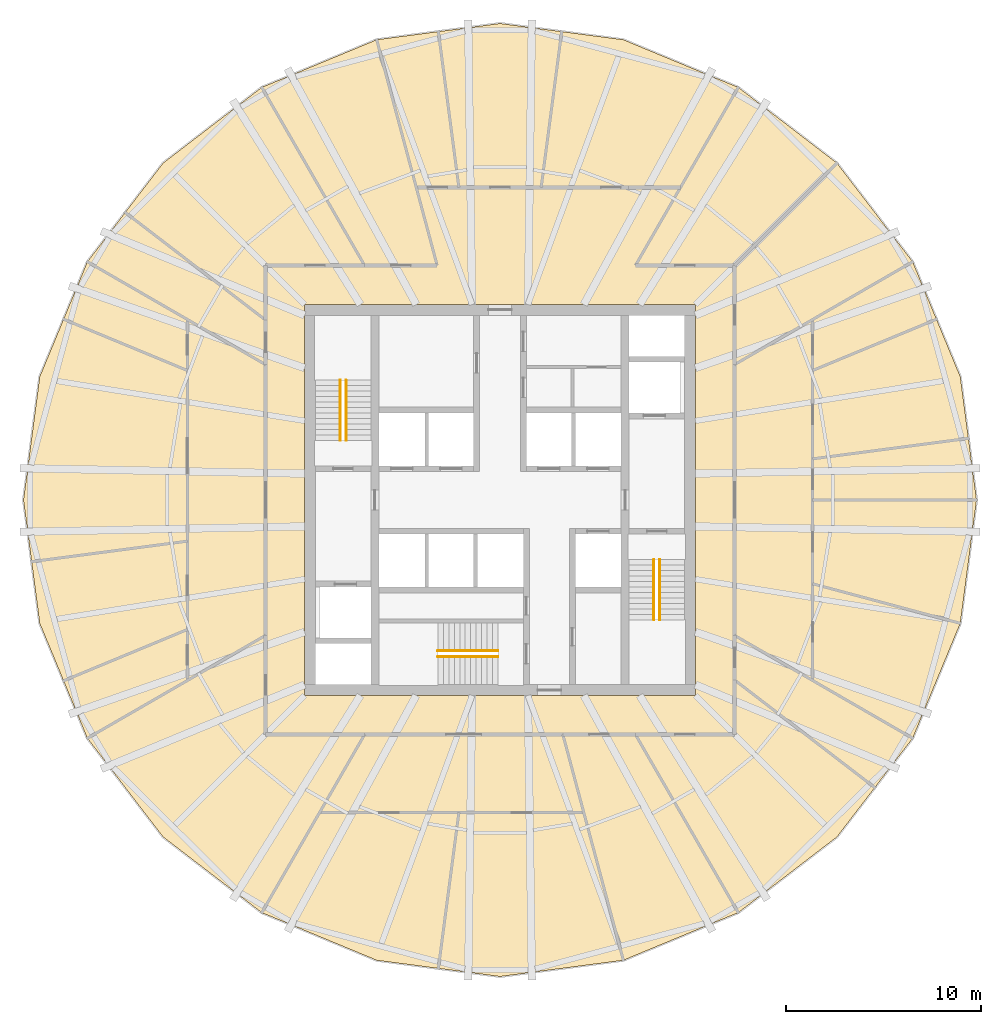
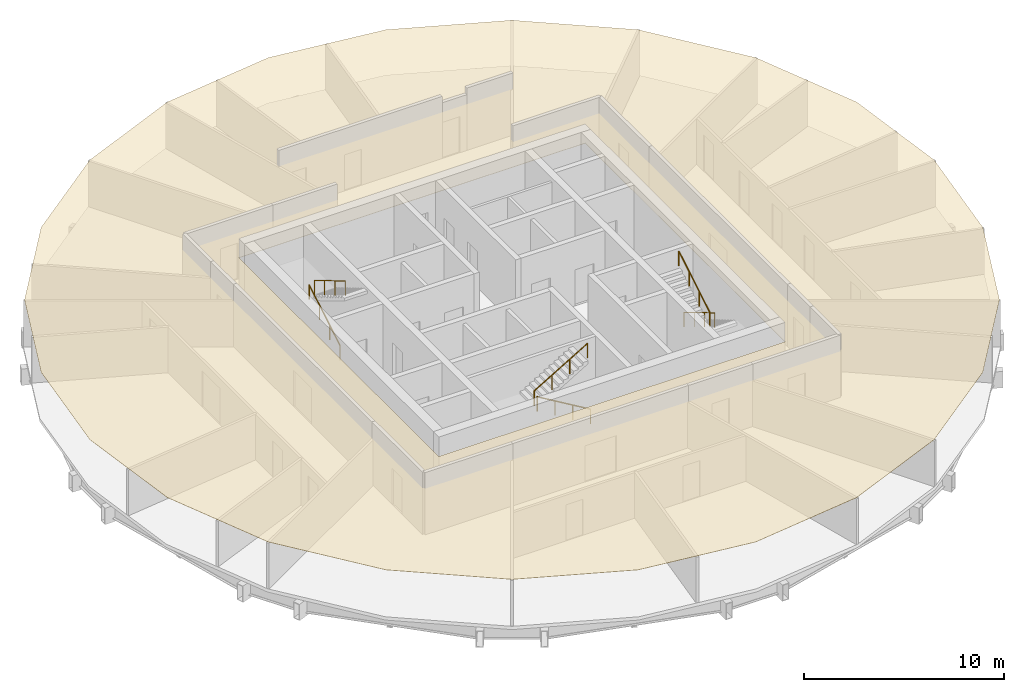
# One storey, part 6 of 6: 6 railings, 1 covering.
"""IFC4 building model written with IfcOpenShell, lengths in metres."""

import ifcopenshell
import ifcopenshell.guid

model = None  # the IFC model being written
_history = None  # IfcOwnerHistory: only IFC2X3 demands one
_inside = {}  # id of a spatial element -> (the spatial element, [elements in it])
_under = {}  # id of a project, library or spatial element -> (it, [spatial elements below it])
_declared = {}  # id of a project -> (the project, [libraries it declares])
_typed = {}  # id of a type object -> (the type object, [elements of that type])
_made_of = {}  # id of a material, layer set ... -> (it, [elements and type objects made of it])


def new_model(schema):
    """Start an empty IFC model of exactly this schema.

    Asked for "IFC4X3", IfcOpenShell would pick the latest addendum, in which some entities
    have other attributes; the version numbers below select the first issue.
    IFC2X3 requires an IfcOwnerHistory on every rooted entity: one is made here for all.
    """
    global model, _history
    if schema == "IFC4X3":
        model = ifcopenshell.file(schema_version=(4, 3, 0, 0))
    else:
        model = ifcopenshell.file(schema=schema)
    _inside.clear()
    _under.clear()
    _declared.clear()
    _typed.clear()
    _made_of.clear()
    _history = None
    if model.schema == "IFC2X3":
        org = make("IfcOrganization", Name="unknown")
        user = make(
            "IfcPersonAndOrganization",
            ThePerson=make("IfcPerson", FamilyName="unknown"),
            TheOrganization=org,
        )
        app = make(
            "IfcApplication",
            ApplicationDeveloper=org,
            Version="unknown",
            ApplicationFullName="unknown",
            ApplicationIdentifier="unknown",
        )
        _history = make(
            "IfcOwnerHistory",
            OwningUser=user,
            OwningApplication=app,
            ChangeAction="ADDED",
            CreationDate=0,
        )
    return model


def make(cls, **values):
    """One entity of the class cls with the attributes given. An attribute that is None is left unset."""
    return model.create_entity(
        cls, **{name: value for name, value in values.items() if value is not None}
    )


def rooted(cls, **values):
    """An entity with a GlobalId (a new one), such as an element, a storey or a relation."""
    return make(cls, GlobalId=ifcopenshell.guid.new(), OwnerHistory=_history, **values)


def si_unit(unit_type, name, prefix=None):
    """IfcSIUnit, for example si_unit("LENGTHUNIT", "METRE", prefix="MILLI")."""
    return make("IfcSIUnit", UnitType=unit_type, Prefix=prefix, Name=name)


def assignment(units):
    """IfcUnitAssignment: the units of a project."""
    return None if units is None else make("IfcUnitAssignment", Units=units)


def point(xyz):
    """IfcCartesianPoint."""
    return None if xyz is None else make("IfcCartesianPoint", Coordinates=xyz)


def direction(xyz):
    """IfcDirection."""
    return None if xyz is None else make("IfcDirection", DirectionRatios=xyz)


def frame(location, z_axis=None, x_axis=None):
    """IfcAxis2Placement3D, a coordinate frame: its origin and axes. An axis left out is left unset."""
    return make(
        "IfcAxis2Placement3D",
        Location=point(location),
        Axis=direction(z_axis),
        RefDirection=direction(x_axis),
    )


def frame_2d(location, x_axis=None):
    """IfcAxis2Placement2D, a coordinate frame in the plane: its origin and x axis."""
    return make(
        "IfcAxis2Placement2D", Location=point(location), RefDirection=direction(x_axis)
    )


def origin():
    """The frame at (0, 0, 0) with its axes left unset."""
    return frame((0.0, 0.0, 0.0))


def origin_2d():
    """The frame at (0, 0) in the plane with its x axis left unset."""
    return frame_2d((0.0, 0.0))


def place(relative_to, where):
    """IfcLocalPlacement: puts the frame where relative to a parent placement (None: the world)."""
    return make(
        "IfcLocalPlacement", PlacementRelTo=relative_to, RelativePlacement=where
    )


def context(
    kind, dimensions, precision=None, world=None, true_north=None, identifier=None
):
    """IfcGeometricRepresentationContext, for example the 3D "Model" context."""
    return make(
        "IfcGeometricRepresentationContext",
        ContextIdentifier=identifier,
        ContextType=kind,
        CoordinateSpaceDimension=dimensions,
        Precision=precision,
        WorldCoordinateSystem=world,
        TrueNorth=true_north,
    )


def subcontext(parent, identifier, kind, view, scale=None):
    """IfcGeometricRepresentationSubContext, for example "Body" below "Model"."""
    return make(
        "IfcGeometricRepresentationSubContext",
        ContextIdentifier=identifier,
        ContextType=kind,
        ParentContext=parent,
        TargetScale=scale,
        TargetView=view,
    )


def project(units=None, contexts=None):
    """IfcProject with its units and contexts."""
    return rooted(
        "IfcProject",
        Name="project",
        RepresentationContexts=contexts,
        UnitsInContext=assignment(units),
    )


def spatial(cls, under=None, at=None, **own):
    """A site, building, storey or space (cls), placed at a placement, below another one or the project."""
    s = rooted(cls, ObjectPlacement=at, **own)
    if under is not None:
        _under.setdefault(under.id(), (under, []))[1].append(s)
    return s


def polyline(points):
    """IfcPolyline through the points."""
    return make("IfcPolyline", Points=[point(p) for p in points])


def profile(cls, at=None, kind="AREA", **sizes):
    """A parametric profile (cls). Its sizes go by their IFC names, for example OverallWidth=200.0."""
    return make(cls, ProfileType=kind, Position=at, **sizes)


def circle(**sizes):
    """IfcCircleProfileDef."""
    return profile("IfcCircleProfileDef", **sizes)


def outline(outer, holes=None, kind="AREA"):
    """IfcArbitraryClosedProfileDef: a profile drawn as a closed curve; with holes, ...WithVoids."""
    if holes is None:
        return make("IfcArbitraryClosedProfileDef", ProfileType=kind, OuterCurve=outer)
    return make(
        "IfcArbitraryProfileDefWithVoids",
        ProfileType=kind,
        OuterCurve=outer,
        InnerCurves=holes,
    )


def extrude(swept, where, along, depth):
    """IfcExtrudedAreaSolid: the profile swept, set in the frame where, extruded along a direction by depth."""
    return make(
        "IfcExtrudedAreaSolid",
        SweptArea=swept,
        Position=where,
        ExtrudedDirection=direction(along),
        Depth=depth,
    )


def shape(context_of_items, identifier, shape_type, items):
    """IfcShapeRepresentation: the items that make up one representation, for example the "Body"."""
    return make(
        "IfcShapeRepresentation",
        ContextOfItems=context_of_items,
        RepresentationIdentifier=identifier,
        RepresentationType=shape_type,
        Items=items,
    )


def material(Name=None, Category=None):
    """IfcMaterial."""
    return make("IfcMaterial", Name=Name, Category=Category)


def layer(
    of_material, thickness, ventilated=None, Name=None, Category=None, Priority=None
):
    """IfcMaterialLayer: one layer of a wall or slab, of a material (None: an air gap)."""
    return make(
        "IfcMaterialLayer",
        Material=of_material,
        LayerThickness=thickness,
        IsVentilated=ventilated,
        Name=Name,
        Category=Category,
        Priority=Priority,
    )


def layer_set(layers, Name=None):
    """IfcMaterialLayerSet."""
    return make("IfcMaterialLayerSet", MaterialLayers=layers, LayerSetName=Name)


def made_of(thing, what):
    """Note that an element or type object is made of a material, layer set ...; save() writes the relation."""
    if what is not None:
        _made_of.setdefault(what.id(), (what, []))[1].append(thing)
    return thing


def type_object(cls, material=None, **own):
    """A type object (cls), such as IfcWallType, which elements share."""
    return made_of(rooted(cls, **own), material)


def element(
    cls,
    number,
    at=None,
    inside=None,
    cuts=None,
    type_object=None,
    material=None,
    context=None,
    identifier="Body",
    shape_type=None,
    held_by="IfcProductDefinitionShape",
    body=None,
    shapes=None,
    **own,
):
    """One element of the class cls, such as IfcWall. Its Tag is "e" and its number.

    at: its placement. inside: the storey or other place that contains it. cuts: it is an
    opening in that element (IfcRelVoidsElement). A single representation is given by context,
    identifier, shape_type and body (its items); several are given by shapes. held_by: the class
    of the entity that holds the representations. save() writes the other relations.
    """
    e = rooted(cls, Tag="e%d" % number, ObjectPlacement=at, **own)
    if body is not None:
        shapes = [shape(context, identifier, shape_type, body)]
    if shapes is not None:
        e.Representation = make(held_by, Representations=shapes)
    if inside is not None:
        _inside.setdefault(inside.id(), (inside, []))[1].append(e)
    if cuts is not None:
        rooted(
            "IfcRelVoidsElement", RelatingBuildingElement=cuts, RelatedOpeningElement=e
        )
    if type_object is not None:
        _typed.setdefault(type_object.id(), (type_object, []))[1].append(e)
    return made_of(e, material)


def aggregate(whole, parts):
    """IfcRelAggregates: a whole, such as a stair, and the parts it consists of."""
    return rooted("IfcRelAggregates", RelatingObject=whole, RelatedObjects=parts)


def save(model, path):
    """Write the relations noted so far, then the file.

    IfcRelAggregates (storeys below a building ...), IfcRelContainedInSpatialStructure (elements
    in a storey), IfcRelDefinesByType, IfcRelAssociatesMaterial and IfcRelDeclares: one each for
    every whole, place, type object, material and project.
    """
    for whole, parts in _under.values():
        aggregate(whole, parts)
    for where, things in _inside.values():
        rooted(
            "IfcRelContainedInSpatialStructure",
            RelatedElements=things,
            RelatingStructure=where,
        )
    for kind, things in _typed.values():
        rooted("IfcRelDefinesByType", RelatedObjects=things, RelatingType=kind)
    for what, things in _made_of.values():
        rooted("IfcRelAssociatesMaterial", RelatedObjects=things, RelatingMaterial=what)
    for by, libraries in _declared.values():
        rooted("IfcRelDeclares", RelatingContext=by, RelatedDefinitions=libraries)
    model.write(path)


model = new_model("IFC4")

# Units and contexts
model_context = context("Model", 3, precision=1e-05, world=origin(), true_north=direction((0.0, 1.0)))
body_context = subcontext(model_context, "Body", "Model", "MODEL_VIEW")
ifc_project = project(units=[si_unit("LENGTHUNIT", "METRE"), si_unit("AREAUNIT", "SQUARE_METRE"), si_unit("VOLUMEUNIT", "CUBIC_METRE"), si_unit("PLANEANGLEUNIT", "RADIAN"), si_unit("MASSUNIT", "GRAM", prefix="KILO")], contexts=[model_context])

# Site, building, storey
site_placement = place(None, origin())
site = spatial("IfcSite", under=ifc_project, at=site_placement, CompositionType="ELEMENT")
building_placement = place(site_placement, origin())
building = spatial("IfcBuilding", under=site, at=building_placement, Name="Golbaran Civic Tower", CompositionType="ELEMENT")
storey_placement = place(building_placement, frame((0.0, 0.0, 122.0)))
storey = spatial("IfcBuildingStorey", under=building, at=storey_placement, Name="L29", CompositionType="ELEMENT", Elevation=122.0)

# Railings
ifc_material_1 = material(Name="Stainless steel", Category="steel")
railing_type = type_object("IfcRailingType", Name="STAIR HANDRAIL 900", PredefinedType="HANDRAIL", material=ifc_material_1)
railing_1_placement = place(storey_placement, frame((-8.175048828125, 3.050048828125, 0.166748046875)))
element("IfcRailing", 1, at=railing_1_placement, inside=storey, type_object=railing_type, Name="Stair S1 handrail flight 1 L29", PredefinedType="HANDRAIL", context=body_context, shape_type="SweptSolid", body=[
    extrude(circle(Radius=0.02392578125, at=origin_2d()), frame((0.0, 0.0, 0.8759765625), z_axis=(0.0, 0.859290745958, 0.51148745235), x_axis=(-1.0, 0.0, 0.0)), (0.0, 0.0, 1.0), 3.584228515625),
    extrude(circle(Radius=0.02099609375, at=origin_2d()), origin(), (0.0, 0.0, 1.0), 0.851806640625),
    extrude(circle(Radius=0.02099609375, at=origin_2d()), frame((0.0, 1.026611328125, 0.611083984375)), (0.0, 0.0, 1.0), 0.851806640625),
    extrude(circle(Radius=0.02099609375, at=origin_2d()), frame((0.0, 2.05322265625, 1.22216796875)), (0.0, 0.0, 1.0), 0.851806640625),
    extrude(circle(Radius=0.02099609375, at=origin_2d()), frame((0.0, 3.079833984375, 1.833251953125)), (0.0, 0.0, 1.0), 0.851806640625),
])
for number, where, name in (
    (2, (-7.875, 6.1298828125, 2.166748046875), "Stair S1 handrail flight 2 L29"),
    (3, (8.175048828125, -3.050048828125, 0.166748046875), "Stair S2 handrail flight 1 L29"),
):
    element("IfcRailing", number, at=place(storey_placement, frame(where)), inside=storey, type_object=railing_type, Name=name, PredefinedType="HANDRAIL", context=body_context, shape_type="SweptSolid", body=[
        extrude(circle(Radius=0.02392578125, at=origin_2d()), frame((0.0, 0.0, 0.8759765625), z_axis=(0.0, -0.859290745958, 0.51148745235), x_axis=(1.0, 0.0, 0.0)), (0.0, 0.0, 1.0), 3.584228515625),
        extrude(circle(Radius=0.02099609375, at=origin_2d()), origin(), (0.0, 0.0, 1.0), 0.851806640625),
        extrude(circle(Radius=0.02099609375, at=origin_2d()), frame((0.0, -1.026611328125, 0.611083984375)), (0.0, 0.0, 1.0), 0.851806640625),
        extrude(circle(Radius=0.02099609375, at=origin_2d()), frame((0.0, -2.05322265625, 1.22216796875)), (0.0, 0.0, 1.0), 0.851806640625),
        extrude(circle(Radius=0.02099609375, at=origin_2d()), frame((0.0, -3.079833984375, 1.833251953125)), (0.0, 0.0, 1.0), 0.851806640625),
    ])
railing_2_placement = place(storey_placement, frame((7.875, -6.1298828125, 2.166748046875)))
element("IfcRailing", 4, at=railing_2_placement, inside=storey, type_object=railing_type, Name="Stair S2 handrail flight 2 L29", PredefinedType="HANDRAIL", context=body_context, shape_type="SweptSolid", body=[
    extrude(circle(Radius=0.02392578125, at=origin_2d()), frame((0.0, 0.0, 0.8759765625), z_axis=(0.0, 0.859290745958, 0.51148745235), x_axis=(-1.0, 0.0, 0.0)), (0.0, 0.0, 1.0), 3.584228515625),
    extrude(circle(Radius=0.02099609375, at=origin_2d()), origin(), (0.0, 0.0, 1.0), 0.851806640625),
    extrude(circle(Radius=0.02099609375, at=origin_2d()), frame((0.0, 1.026611328125, 0.611083984375)), (0.0, 0.0, 1.0), 0.851806640625),
    extrude(circle(Radius=0.02099609375, at=origin_2d()), frame((0.0, 2.05322265625, 1.22216796875)), (0.0, 0.0, 1.0), 0.851806640625),
    extrude(circle(Radius=0.02099609375, at=origin_2d()), frame((0.0, 3.079833984375, 1.833251953125)), (0.0, 0.0, 1.0), 0.851806640625),
])
railing_3_placement = place(storey_placement, frame((-0.10009765625, -8.02490234375, 0.166748046875)))
element("IfcRailing", 5, at=railing_3_placement, inside=storey, type_object=railing_type, Name="Stair S3 handrail flight 1 L29", PredefinedType="HANDRAIL", context=body_context, shape_type="SweptSolid", body=[
    extrude(circle(Radius=0.02392578125, at=origin_2d()), frame((0.0, 0.0, 0.8759765625), z_axis=(-0.859290745958, 0.0, 0.51148745235), x_axis=(0.0, -1.0, 0.0)), (0.0, 0.0, 1.0), 3.584228515625),
    extrude(circle(Radius=0.02099609375, at=origin_2d()), origin(), (0.0, 0.0, 1.0), 0.851806640625),
    extrude(circle(Radius=0.02099609375, at=origin_2d()), frame((-1.026611328125, 0.0, 0.611083984375)), (0.0, 0.0, 1.0), 0.851806640625),
    extrude(circle(Radius=0.02099609375, at=origin_2d()), frame((-2.05322265625, 0.0, 1.22216796875)), (0.0, 0.0, 1.0), 0.851806640625),
    extrude(circle(Radius=0.02099609375, at=origin_2d()), frame((-3.079833984375, 0.0, 1.833251953125)), (0.0, 0.0, 1.0), 0.851806640625),
])
railing_4_placement = place(storey_placement, frame((-3.179931640625, -7.72509765625, 2.166748046875)))
element("IfcRailing", 6, at=railing_4_placement, inside=storey, type_object=railing_type, Name="Stair S3 handrail flight 2 L29", PredefinedType="HANDRAIL", context=body_context, shape_type="SweptSolid", body=[
    extrude(circle(Radius=0.02392578125, at=origin_2d()), frame((0.0, 0.0, 0.8759765625), z_axis=(0.859290745958, 0.0, 0.51148745235), x_axis=(0.0, 1.0, 0.0)), (0.0, 0.0, 1.0), 3.584228515625),
    extrude(circle(Radius=0.02099609375, at=origin_2d()), origin(), (0.0, 0.0, 1.0), 0.851806640625),
    extrude(circle(Radius=0.02099609375, at=origin_2d()), frame((1.026611328125, 0.0, 0.611083984375)), (0.0, 0.0, 1.0), 0.851806640625),
    extrude(circle(Radius=0.02099609375, at=origin_2d()), frame((2.05322265625, 0.0, 1.22216796875)), (0.0, 0.0, 1.0), 0.851806640625),
    extrude(circle(Radius=0.02099609375, at=origin_2d()), frame((3.079833984375, 0.0, 1.833251953125)), (0.0, 0.0, 1.0), 0.851806640625),
])

# Covering
ifc_material_2 = material(Name="Mineral fibre tile on steel grid", Category="steel")
ifc_layer = layer(ifc_material_2, 0.02001953125, Name="Mineral fibre tile on steel grid")
ifc_layer_set = layer_set([ifc_layer], Name="Mineral fibre tile on steel grid")
covering_type = type_object("IfcCoveringType", Name="SUSPENDED CEILING 600 TILE 20", PredefinedType="CEILING", material=ifc_layer_set)
covering_placement = place(storey_placement, frame((0.0, 0.0, 2.800048828125)))
element("IfcCovering", 7, at=covering_placement, inside=storey, type_object=covering_type, Name="Suspended ceiling L29", PredefinedType="CEILING", context=body_context, shape_type="SweptSolid", body=[
    extrude(outline(polyline([(-24.384033203125, 0.0), (-23.55322265625, 6.31103515625), (-21.1171875, 12.19189453125), (-17.2421875, 17.2421875), (-12.19189453125, 21.1171875), (-6.31103515625, 23.55322265625), (0.0, 24.384033203125), (3.30419921875, 23.948974609375), (6.31103515625, 23.55322265625), (12.19189453125, 21.1171875), (17.2421875, 17.2421875), (21.1171875, 12.19189453125), (23.55322265625, 6.31103515625), (24.384033203125, 0.0), (23.55322265625, -6.31103515625), (21.1171875, -12.19189453125), (17.2421875, -17.2421875), (12.19189453125, -21.1171875), (6.31103515625, -23.55322265625), (0.0, -24.384033203125), (-3.30419921875, -23.948974609375), (-6.31103515625, -23.55322265625), (-12.19189453125, -21.1171875), (-17.2421875, -17.2421875), (-21.1171875, -12.19189453125), (-23.55322265625, -6.31103515625), (-24.384033203125, 0.0)]), holes=[polyline([(10.0, 10.0), (-10.0, 10.0), (-10.0, -10.0), (10.0, -10.0), (10.0, 10.0)])]), origin(), (0.0, 0.0, 1.0), 0.02001953125),
])

save(model, "model.ifc")
